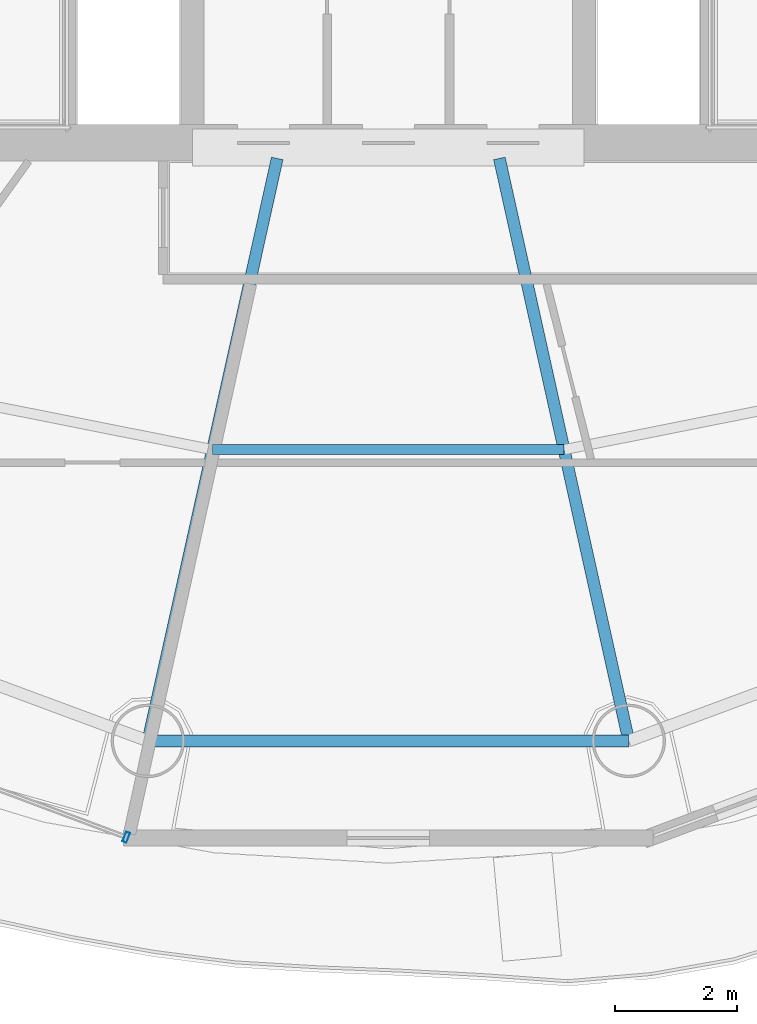
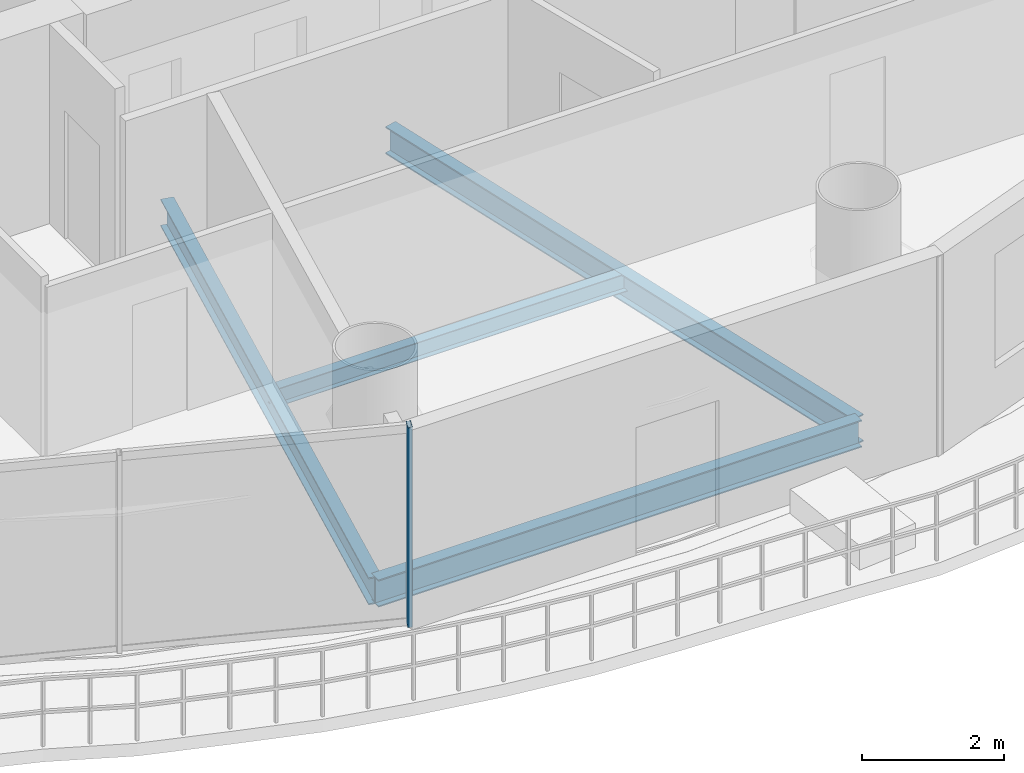
# One storey, part 5 of 26: 4 beams, 1 member, 1 element without a shape of its own.
"""IFC4 building model written with IfcOpenShell, lengths in metres."""

from ifc_helpers import new_model, si_unit, direction, frame, origin, origin_2d, place, context, subcontext, project, spatial, hollow_rectangle, i_section, extrude, source, transform, mapped, material, material_profile, profile_set, type_object, element, aggregate, save


model = new_model("IFC4")

# Units and contexts
model_context = context("Model", 3, precision=1e-05, world=origin(), true_north=direction((-0.2419218956, 0.970295726276)))
body_context = subcontext(model_context, "Body", "Model", "MODEL_VIEW")
ifc_project = project(units=[si_unit("LENGTHUNIT", "METRE"), si_unit("AREAUNIT", "SQUARE_METRE"), si_unit("VOLUMEUNIT", "CUBIC_METRE"), si_unit("PLANEANGLEUNIT", "RADIAN"), si_unit("MASSUNIT", "GRAM", prefix="KILO")], contexts=[model_context])

# Site, building, storey
site_placement = place(None, origin())
site = spatial("IfcSite", under=ifc_project, at=site_placement, CompositionType="ELEMENT")
building_placement = place(site_placement, origin())
building = spatial("IfcBuilding", under=site, at=building_placement, Name="Cobrevalo Terracotta Tower", CompositionType="ELEMENT")
storey_placement = place(building_placement, frame((0.0, 0.0, 235.60009765625)))
storey = spatial("IfcBuildingStorey", under=building, at=storey_placement, Name="L62", CompositionType="ELEMENT", Elevation=235.60009765625)

# Beams
ifc_material_1 = material(Name="Steel S355", Category="steel")
ifc_material_profile_1 = material_profile(ifc_material_1, i_section(OverallWidth=0.194091796875, OverallDepth=0.468994140625, WebThickness=0.011474609375, FlangeThickness=0.0205078125, at=origin_2d()), Name="W 460x106")
ifc_profile_set_1 = profile_set([ifc_material_profile_1], Name="Steel S355")
beam_type_1 = type_object("IfcBeamType", Name="Structural Beam W 460x106 (Steel S355)", PredefinedType="BEAM", material=ifc_profile_set_1)
for number, where, z_axis, x_axis, name in (
    (1, (34.06884765625, 9.096923828125, -0.49951171875), (0.216782061165, 0.976220025382, 0.0), (-0.976220025382, 0.216782061165, 0.0), "L62 radial floor girder 12"),
    (2, (41.93115234375, 9.096923828125, -0.49951171875), (-0.216782061165, 0.976220025382, 0.0), (-0.976220025382, -0.216782061165, 0.0), "L62 radial floor girder 13"),
):
    element("IfcBeam", number, at=place(storey_placement, frame(where, z_axis=z_axis, x_axis=x_axis)), inside=storey, type_object=beam_type_1, Name=name, PredefinedType="BEAM", context=body_context, shape_type="SweptSolid", body=[
        extrude(i_section(OverallWidth=0.194091796875, OverallDepth=0.468994140625, WebThickness=0.011474609375, FlangeThickness=0.0205078125, at=origin_2d()), origin(), (0.0, 0.0, 1.0), 9.755126953125),
    ])
ifc_material_profile_2 = material_profile(ifc_material_1, i_section(OverallWidth=0.1650390625, OverallDepth=0.31005859375, WebThickness=0.005859375, FlangeThickness=0.009765625, at=origin_2d()), Name="W 310x38.7")
ifc_profile_set_2 = profile_set([ifc_material_profile_2], Name="Steel S355")
beam_type_2 = type_object("IfcBeamType", Name="Structural Joist W 310x38.7 (Steel S355)", PredefinedType="JOIST", material=ifc_profile_set_2)
beam_1_placement = place(storey_placement, frame((35.126220703125, 13.8583984375, -0.420166015625), z_axis=(1.0, 0.0, 0.0), x_axis=(0.0, 1.0, 0.0)))
element("IfcBeam", 3, at=beam_1_placement, inside=storey, type_object=beam_type_2, Name="L62 circumferential secondary floor joist 12", PredefinedType="JOIST", context=body_context, shape_type="SweptSolid", body=[
    extrude(i_section(OverallWidth=0.1650390625, OverallDepth=0.31005859375, WebThickness=0.005859375, FlangeThickness=0.009765625, at=origin_2d()), origin(), (0.0, 0.0, 1.0), 5.74755859375),
])
ifc_material_profile_3 = material_profile(ifc_material_1, i_section(OverallWidth=0.194091796875, OverallDepth=0.468994140625, WebThickness=0.011474609375, FlangeThickness=0.0205078125, at=origin_2d()), Name="W 460x106")
ifc_profile_set_3 = profile_set([ifc_material_profile_3], Name="Steel S355")
beam_type_3 = type_object("IfcBeamType", Name="Structural Spandrel W 460x106 (Steel S355)", PredefinedType="SPANDREL", material=ifc_profile_set_3)
beam_2_placement = place(storey_placement, frame((34.06884765625, 9.096923828125, -0.49951171875), z_axis=(1.0, 0.0, 0.0), x_axis=(0.0, 1.0, 0.0)))
element("IfcBeam", 4, at=beam_2_placement, inside=storey, type_object=beam_type_3, Name="L62 perimeter ring spandrel 12", PredefinedType="SPANDREL", context=body_context, shape_type="SweptSolid", body=[
    extrude(i_section(OverallWidth=0.194091796875, OverallDepth=0.468994140625, WebThickness=0.011474609375, FlangeThickness=0.0205078125, at=origin_2d()), origin(), (0.0, 0.0, 1.0), 7.8623046875),
])

# Curtain wall, member
ifc_material_2 = material(Name="Anodized aluminium", Category="aluminium")
curtain_wall_type = type_object("IfcCurtainWallType", Name="Mid-tower high-wind unitised curtain wall CW-U2", PredefinedType="NOTDEFINED", material=ifc_material_2)
curtain_wall_placement = place(storey_placement, origin())
curtain_wall = element("IfcCurtainWall", 5, at=curtain_wall_placement, inside=storey, type_object=curtain_wall_type, Name="L62 curtain wall CW-L62-S11", PredefinedType="NOTDEFINED")
ifc_material_profile_4 = material_profile(ifc_material_2, hollow_rectangle(XDim=0.070068359375, YDim=0.169921875, WallThickness=0.00439453125, at=origin_2d()), Name="CWM 70x170")
ifc_profile_set_4 = profile_set([ifc_material_profile_4], Name="Anodized aluminium")
member_type = type_object("IfcMemberType", Name="Upper tower unitised mullion 70x170", PredefinedType="MULLION", material=ifc_profile_set_4)
shared_shape = source(origin(), body_context, "Body", "SweptSolid", [
    extrude(hollow_rectangle(XDim=0.070068359375, YDim=0.169921875, WallThickness=0.00439453125, at=origin_2d()), origin(), (0.0, 0.0, 1.0), 3.434814453125),
])
member_placement = place(storey_placement, frame((33.71533203125, 7.52197265625, 0.0), z_axis=(0.0, 0.0, 1.0), x_axis=(0.936556004584, -0.350517974259, 0.0)))
member = element("IfcMember", 6, at=member_placement, type_object=member_type, Name="CW-L62-S11 vertical mullion 03", PredefinedType="MULLION", context=body_context, shape_type="MappedRepresentation", body=[
    mapped(shared_shape, transform((0.0, 0.0, 0.0), scale=1.0)),
])
aggregate(curtain_wall, [member])

save(model, "model.ifc")
